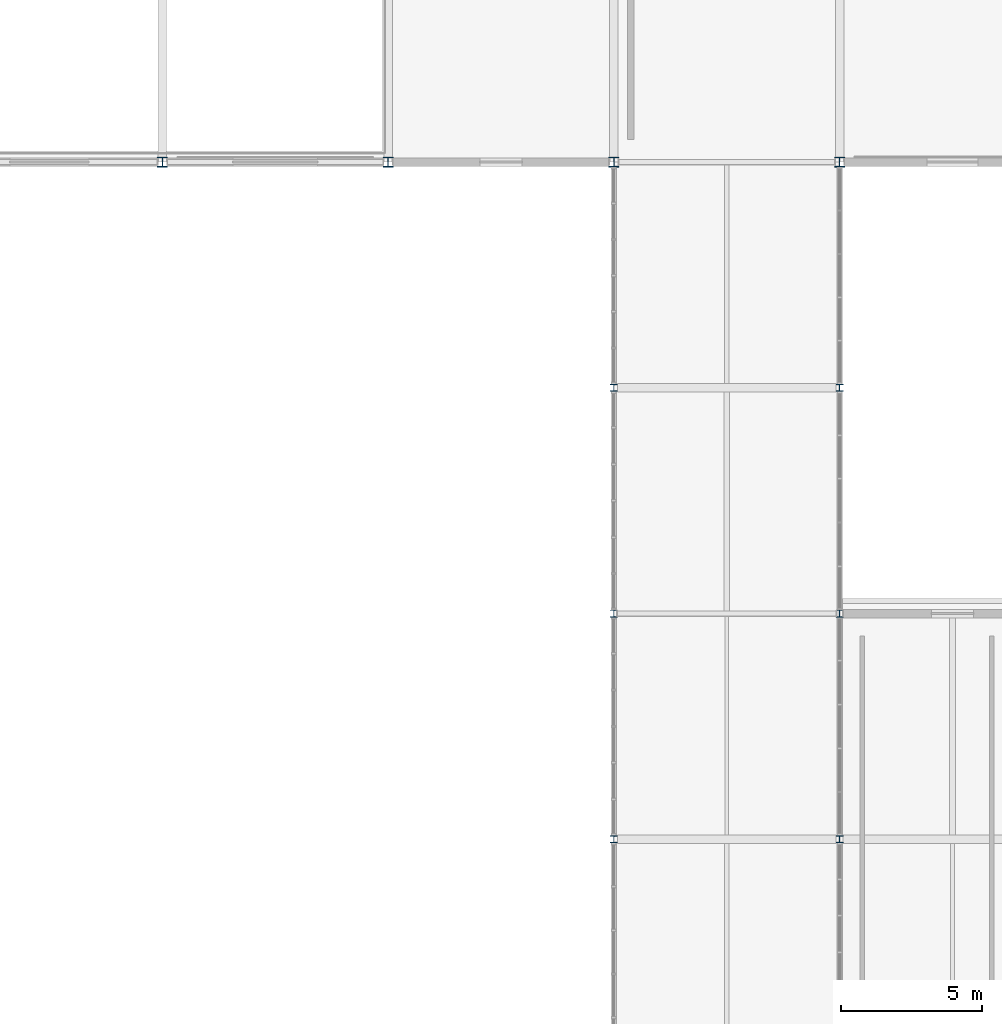
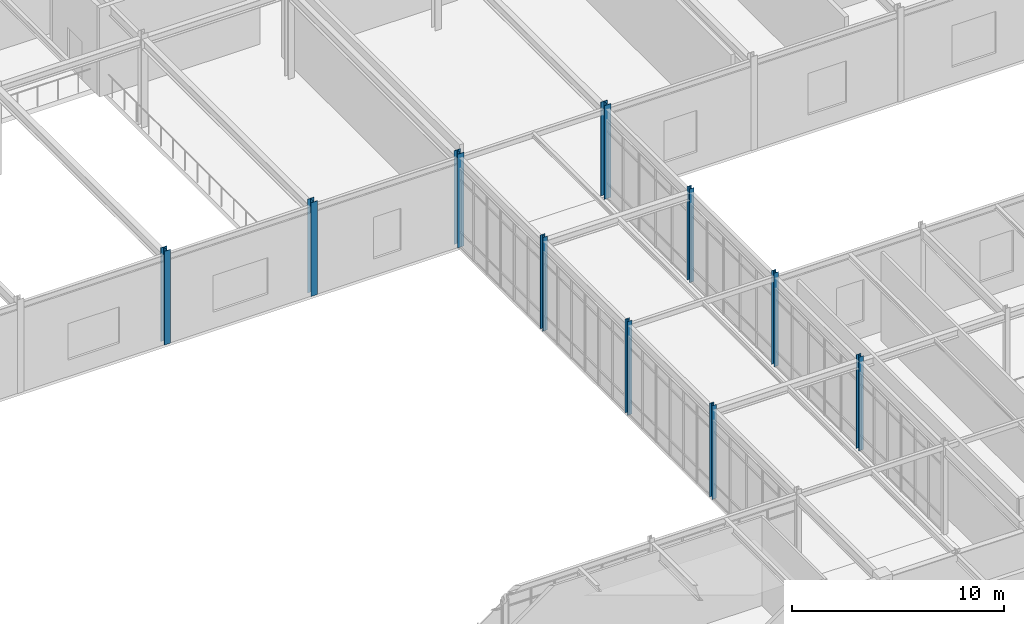
# One storey, part 11 of 184: 10 columns.
"""IFC4 building model written with IfcOpenShell, lengths in metres."""

from ifc_helpers import new_model, si_unit, direction, frame, origin, origin_2d, place, context, subcontext, project, spatial, i_section, extrude, material, material_profile, profile_set, type_object, element, save


model = new_model("IFC4")

# Units and contexts
model_context = context("Model", 3, precision=1e-05, world=origin(), true_north=direction((0.0, 1.0)))
body_context = subcontext(model_context, "Body", "Model", "MODEL_VIEW")
ifc_project = project(units=[si_unit("LENGTHUNIT", "METRE"), si_unit("AREAUNIT", "SQUARE_METRE"), si_unit("VOLUMEUNIT", "CUBIC_METRE"), si_unit("PLANEANGLEUNIT", "RADIAN"), si_unit("MASSUNIT", "GRAM", prefix="KILO")], contexts=[model_context])

# Site, building, storey
site_placement = place(None, origin())
site = spatial("IfcSite", under=ifc_project, at=site_placement, CompositionType="ELEMENT")
building_placement = place(site_placement, origin())
building = spatial("IfcBuilding", under=site, at=building_placement, Name="Zhaolan Boulevard Law Courts", CompositionType="ELEMENT")
storey_placement = place(building_placement, frame((0.0, 0.0, 5.39990234375)))
storey = spatial("IfcBuildingStorey", under=building, at=storey_placement, Name="L01", CompositionType="ELEMENT", Elevation=5.39990234375)

# Columns
ifc_material_1 = material(Name="Structural steel Q355B", Category="steel")
ifc_material_profile_1 = material_profile(ifc_material_1, i_section(OverallWidth=0.25, OverallDepth=0.25, WebThickness=0.009033203125, FlangeThickness=0.013916015625, FilletRadius=0.01611328125, at=origin_2d()), Name="HW250x250")
ifc_profile_set_1 = profile_set([ifc_material_profile_1], Name="Structural steel Q355B")
column_type_1 = type_object("IfcColumnType", Name="COL HW250", PredefinedType="COLUMN", material=ifc_profile_set_1)
for number, where, z_axis, x_axis, name in (
    (1, (116.0, 38.0, 0.0), (0.0, 0.0, 1.0), (1.0, 0.0, 0.0), "Column C-15F (L01)"),
    (2, (116.0, 46.0, 0.0), (0.0, 0.0, 1.0), (1.0, 0.0, 0.0), "Column C-15G (L01)"),
    (3, (116.0, 54.0, 0.0), (0.0, 0.0, 1.0), (1.0, 0.0, 0.0), "Column C-15H (L01)"),
    (4, (124.0, 38.0, 0.0), (0.0, 0.0, 1.0), (1.0, 0.0, 0.0), "Column C-16F (L01)"),
    (5, (124.0, 46.0, 0.0), (0.0, 0.0, 1.0), (1.0, 0.0, 0.0), "Column C-16G (L01)"),
    (6, (124.0, 54.0, 0.0), (0.0, 0.0, 1.0), (1.0, 0.0, 0.0), "Column C-16H (L01)"),
):
    element("IfcColumn", number, at=place(storey_placement, frame(where, z_axis=z_axis, x_axis=x_axis)), inside=storey, type_object=column_type_1, Name=name, PredefinedType="COLUMN", context=body_context, shape_type="SweptSolid", body=[
        extrude(i_section(OverallWidth=0.25, OverallDepth=0.25, WebThickness=0.009033203125, FlangeThickness=0.013916015625, FilletRadius=0.01611328125, at=origin_2d()), origin(), (0.0, 0.0, 1.0), 5.400146484375),
    ])
ifc_material_2 = material(Name="Structural steel Q355B", Category="steel")
ifc_material_profile_2 = material_profile(ifc_material_2, i_section(OverallWidth=0.35009765625, OverallDepth=0.35009765625, WebThickness=0.011962890625, FlangeThickness=0.01904296875, FilletRadius=0.02001953125, at=origin_2d()), Name="HW350x350")
ifc_profile_set_2 = profile_set([ifc_material_profile_2], Name="Structural steel Q355B")
column_type_2 = type_object("IfcColumnType", Name="COL HW350", PredefinedType="COLUMN", material=ifc_profile_set_2)
for number, where, z_axis, x_axis, name in (
    (7, (100.0, 62.0, 0.0), (0.0, 0.0, 1.0), (1.0, 0.0, 0.0), "Column C-13J (L01)"),
    (8, (108.0, 62.0, 0.0), (0.0, 0.0, 1.0), (1.0, 0.0, 0.0), "Column C-14J (L01)"),
    (9, (116.0, 62.0, 0.0), (0.0, 0.0, 1.0), (1.0, 0.0, 0.0), "Column C-15J (L01)"),
    (10, (124.0, 62.0, 0.0), (0.0, 0.0, 1.0), (1.0, 0.0, 0.0), "Column C-16J (L01)"),
):
    element("IfcColumn", number, at=place(storey_placement, frame(where, z_axis=z_axis, x_axis=x_axis)), inside=storey, type_object=column_type_2, Name=name, PredefinedType="COLUMN", context=body_context, shape_type="SweptSolid", body=[
        extrude(i_section(OverallWidth=0.35009765625, OverallDepth=0.35009765625, WebThickness=0.011962890625, FlangeThickness=0.01904296875, FilletRadius=0.02001953125, at=origin_2d()), origin(), (0.0, 0.0, 1.0), 5.400146484375),
    ])

save(model, "model.ifc")
